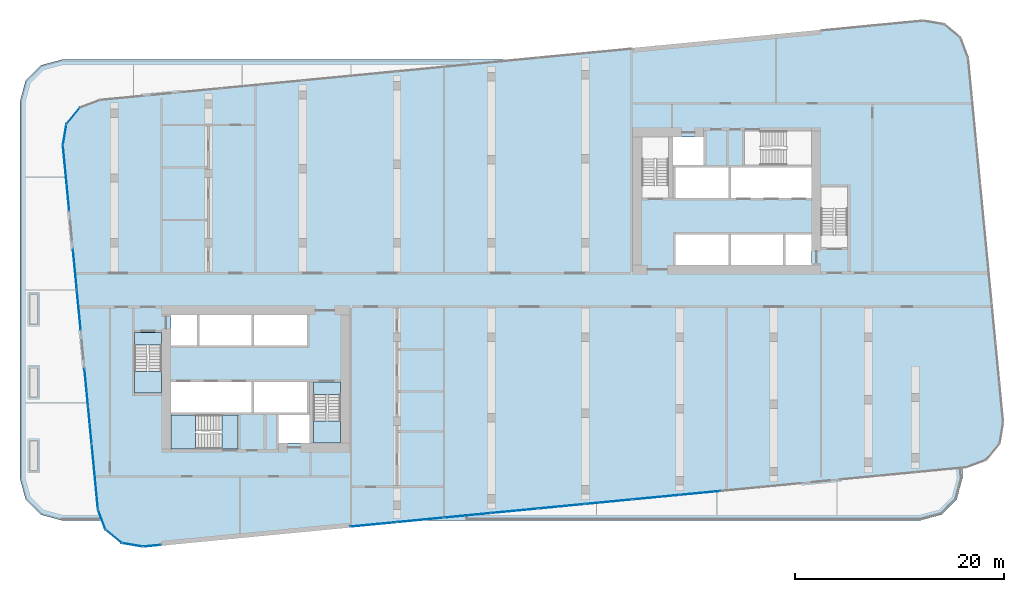
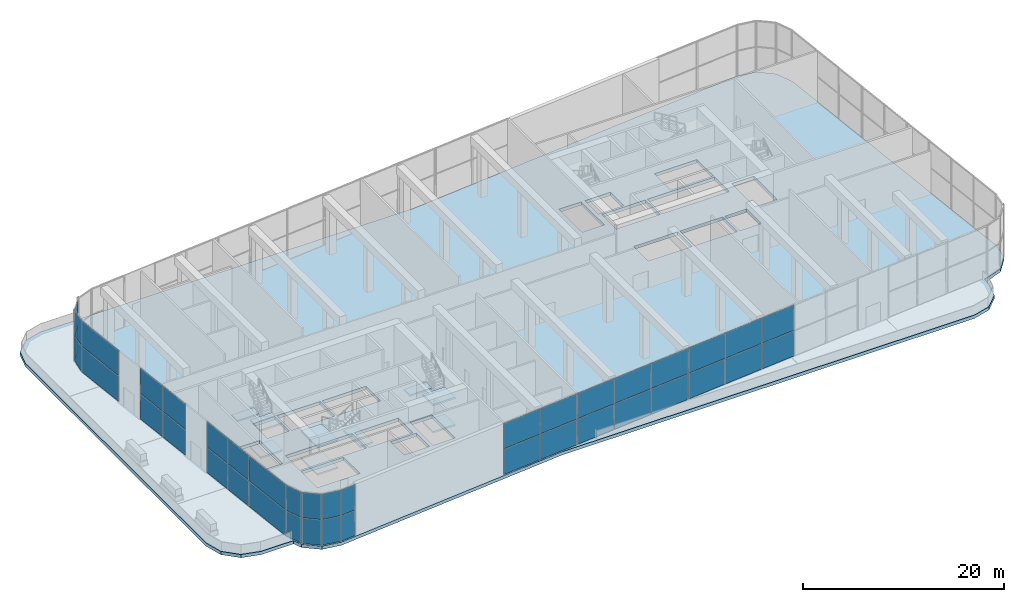
# One storey, part 9 of 25: 40 plates, 10 slabs, 17 elements without a shape of their own.
"""IFC4 building model written with IfcOpenShell, lengths in metres."""

from ifc_helpers import new_model, si_unit, direction, frame, origin, origin_2d, place, context, subcontext, project, spatial, polyline, rectangle, outline, extrude, material, layer, layer_set, type_object, element, aggregate, save


model = new_model("IFC4")

# Units and contexts
model_context = context("Model", 3, precision=1e-05, world=origin(), true_north=direction((0.0, 1.0)))
body_context = subcontext(model_context, "Body", "Model", "MODEL_VIEW")
ifc_project = project(units=[si_unit("LENGTHUNIT", "METRE"), si_unit("AREAUNIT", "SQUARE_METRE"), si_unit("VOLUMEUNIT", "CUBIC_METRE"), si_unit("PLANEANGLEUNIT", "RADIAN"), si_unit("MASSUNIT", "GRAM", prefix="KILO")], contexts=[model_context])

# Site, building, storey
site_placement = place(None, origin())
site = spatial("IfcSite", under=ifc_project, at=site_placement, CompositionType="ELEMENT")
building_placement = place(site_placement, origin())
building = spatial("IfcBuilding", under=site, at=building_placement, Name="Kajstack Hotel Tower", CompositionType="ELEMENT")
storey_placement = place(building_placement, frame((0.0, 0.0, 104.199951171875)))
storey = spatial("IfcBuildingStorey", under=building, at=storey_placement, Name="L22", CompositionType="ELEMENT", Elevation=104.199951171875)

# Curtain wall, plates
ifc_material_1 = material(Name="Aluminium-framed curtain wall, low-iron insulated glass", Category="aluminium")
curtain_wall_type = type_object("IfcCurtainWallType", Name="CW-GARDEN", PredefinedType="NOTDEFINED", material=ifc_material_1)
curtain_wall_1_placement = place(storey_placement, origin())
curtain_wall_1 = element("IfcCurtainWall", 1, at=curtain_wall_1_placement, inside=storey, type_object=curtain_wall_type, Name="Curtain wall CU6 L22-00-00-0", PredefinedType="NOTDEFINED")
ifc_material_2 = material(Name="Low-iron insulated glass", Category="glass")
ifc_layer_1 = layer(ifc_material_2, 0.0400390625)
ifc_layer_set_1 = layer_set([ifc_layer_1], Name="CW-P-GARDEN")
plate_type = type_object("IfcPlateType", Name="CW-P-GARDEN", PredefinedType="CURTAIN_PANEL", material=ifc_layer_set_1)
plate_1_placement = place(storey_placement, frame((-40.59619140625, 10.677978515625, 0.06005859375), z_axis=(0.0, 0.0, 1.0), x_axis=(0.095845908373, -0.99539618336, 0.0)))
plate_1 = element("IfcPlate", 2, at=plate_1_placement, type_object=plate_type, Name="CU6 panel 1.1", PredefinedType="CURTAIN_PANEL", context=body_context, shape_type="SweptSolid", body=[
    extrude(rectangle(XDim=6.267822265625, YDim=0.0400390625, at=origin_2d()), origin(), (0.0, 0.0, 1.0), 3.070068359375),
])
plate_2_placement = place(storey_placement, frame((-40.59619140625, 10.677978515625, 3.18994140625), z_axis=(0.0, 0.0, 1.0), x_axis=(0.095845908373, -0.99539618336, 0.0)))
plate_2 = element("IfcPlate", 3, at=plate_2_placement, type_object=plate_type, Name="CU6 panel 1.2", PredefinedType="CURTAIN_PANEL", context=body_context, shape_type="SweptSolid", body=[
    extrude(rectangle(XDim=6.267822265625, YDim=0.0400390625, at=origin_2d()), origin(), (0.0, 0.0, 1.0), 3.070068359375),
])
aggregate(curtain_wall_1, [plate_1, plate_2])

curtain_wall_2_placement = place(storey_placement, origin())
curtain_wall_2 = element("IfcCurtainWall", 4, at=curtain_wall_2_placement, inside=storey, type_object=curtain_wall_type, Name="Curtain wall CU6 L22-00-02-0", PredefinedType="NOTDEFINED")
plate_3_placement = place(storey_placement, frame((-39.75537109375, 1.9462890625, 0.06005859375), z_axis=(0.0, 0.0, 1.0), x_axis=(0.095845923974, -0.995396181858, 0.0)))
plate_3 = element("IfcPlate", 5, at=plate_3_placement, type_object=plate_type, Name="CU6 panel 1.1", PredefinedType="CURTAIN_PANEL", context=body_context, shape_type="SweptSolid", body=[
    extrude(rectangle(XDim=3.83642578125, YDim=0.0400390625, at=origin_2d()), origin(), (0.0, 0.0, 1.0), 3.070068359375),
])
plate_4_placement = place(storey_placement, frame((-39.75537109375, 1.9462890625, 3.18994140625), z_axis=(0.0, 0.0, 1.0), x_axis=(0.095845923974, -0.995396181858, 0.0)))
plate_4 = element("IfcPlate", 6, at=plate_4_placement, type_object=plate_type, Name="CU6 panel 1.2", PredefinedType="CURTAIN_PANEL", context=body_context, shape_type="SweptSolid", body=[
    extrude(rectangle(XDim=3.83642578125, YDim=0.0400390625, at=origin_2d()), origin(), (0.0, 0.0, 1.0), 3.070068359375),
])
plate_5_placement = place(storey_placement, frame((-39.382080078125, -1.93212890625, 0.06005859375), z_axis=(0.0, 0.0, 1.0), x_axis=(0.095845923974, -0.995396181858, 0.0)))
plate_5 = element("IfcPlate", 7, at=plate_5_placement, type_object=plate_type, Name="CU6 panel 2.1", PredefinedType="CURTAIN_PANEL", context=body_context, shape_type="SweptSolid", body=[
    extrude(rectangle(XDim=3.83642578125, YDim=0.0400390625, at=origin_2d()), origin(), (0.0, 0.0, 1.0), 3.070068359375),
])
plate_6_placement = place(storey_placement, frame((-39.382080078125, -1.93212890625, 3.18994140625), z_axis=(0.0, 0.0, 1.0), x_axis=(0.095845923974, -0.995396181858, 0.0)))
plate_6 = element("IfcPlate", 8, at=plate_6_placement, type_object=plate_type, Name="CU6 panel 2.2", PredefinedType="CURTAIN_PANEL", context=body_context, shape_type="SweptSolid", body=[
    extrude(rectangle(XDim=3.83642578125, YDim=0.0400390625, at=origin_2d()), origin(), (0.0, 0.0, 1.0), 3.070068359375),
])
aggregate(curtain_wall_2, [plate_3, plate_4, plate_5, plate_6])

curtain_wall_3_placement = place(storey_placement, origin())
curtain_wall_3 = element("IfcCurtainWall", 9, at=curtain_wall_3_placement, inside=storey, type_object=curtain_wall_type, Name="Curtain wall CU6 L22-00-04-0", PredefinedType="NOTDEFINED")
plate_7_placement = place(storey_placement, frame((-38.67236328125, -9.301513671875, 0.06005859375), z_axis=(0.0, 0.0, 1.0), x_axis=(0.095845917042, -0.995396182526, 0.0)))
plate_7 = element("IfcPlate", 10, at=plate_7_placement, type_object=plate_type, Name="CU6 panel 1.1", PredefinedType="CURTAIN_PANEL", context=body_context, shape_type="SweptSolid", body=[
    extrude(rectangle(XDim=3.53076171875, YDim=0.0400390625, at=origin_2d()), origin(), (0.0, 0.0, 1.0), 3.070068359375),
])
plate_8_placement = place(storey_placement, frame((-38.67236328125, -9.301513671875, 3.18994140625), z_axis=(0.0, 0.0, 1.0), x_axis=(0.095845917042, -0.995396182526, 0.0)))
plate_8 = element("IfcPlate", 11, at=plate_8_placement, type_object=plate_type, Name="CU6 panel 1.2", PredefinedType="CURTAIN_PANEL", context=body_context, shape_type="SweptSolid", body=[
    extrude(rectangle(XDim=3.53076171875, YDim=0.0400390625, at=origin_2d()), origin(), (0.0, 0.0, 1.0), 3.070068359375),
])
plate_9_placement = place(storey_placement, frame((-38.328125, -12.8759765625, 0.06005859375), z_axis=(0.0, 0.0, 1.0), x_axis=(0.095845917042, -0.995396182526, 0.0)))
plate_9 = element("IfcPlate", 12, at=plate_9_placement, type_object=plate_type, Name="CU6 panel 2.1", PredefinedType="CURTAIN_PANEL", context=body_context, shape_type="SweptSolid", body=[
    extrude(rectangle(XDim=3.53076171875, YDim=0.0400390625, at=origin_2d()), origin(), (0.0, 0.0, 1.0), 3.070068359375),
])
plate_10_placement = place(storey_placement, frame((-38.328125, -12.8759765625, 3.18994140625), z_axis=(0.0, 0.0, 1.0), x_axis=(0.095845917042, -0.995396182526, 0.0)))
plate_10 = element("IfcPlate", 13, at=plate_10_placement, type_object=plate_type, Name="CU6 panel 2.2", PredefinedType="CURTAIN_PANEL", context=body_context, shape_type="SweptSolid", body=[
    extrude(rectangle(XDim=3.53076171875, YDim=0.0400390625, at=origin_2d()), origin(), (0.0, 0.0, 1.0), 3.070068359375),
])
aggregate(curtain_wall_3, [plate_7, plate_8, plate_9, plate_10])

curtain_wall_4_placement = place(storey_placement, origin())
curtain_wall_4 = element("IfcCurtainWall", 14, at=curtain_wall_4_placement, inside=storey, type_object=curtain_wall_type, Name="Curtain wall CU6 L22-00-04-1", PredefinedType="NOTDEFINED")
plate_11_placement = place(storey_placement, frame((-37.8505859375, -17.837158203125, 0.06005859375), z_axis=(0.0, 0.0, 1.0), x_axis=(0.095845857505, -0.995396188258, 0.0)))
plate_11 = element("IfcPlate", 15, at=plate_11_placement, type_object=plate_type, Name="CU6 panel 1.1", PredefinedType="CURTAIN_PANEL", context=body_context, shape_type="SweptSolid", body=[
    extrude(rectangle(XDim=6.19775390625, YDim=0.0400390625, at=origin_2d()), origin(), (0.0, 0.0, 1.0), 3.070068359375),
])
plate_12_placement = place(storey_placement, frame((-37.8505859375, -17.837158203125, 3.18994140625), z_axis=(0.0, 0.0, 1.0), x_axis=(0.095845857505, -0.995396188258, 0.0)))
plate_12 = element("IfcPlate", 16, at=plate_12_placement, type_object=plate_type, Name="CU6 panel 1.2", PredefinedType="CURTAIN_PANEL", context=body_context, shape_type="SweptSolid", body=[
    extrude(rectangle(XDim=6.19775390625, YDim=0.0400390625, at=origin_2d()), origin(), (0.0, 0.0, 1.0), 3.070068359375),
])
aggregate(curtain_wall_4, [plate_11, plate_12])

curtain_wall_5_placement = place(storey_placement, origin())
curtain_wall_5 = element("IfcCurtainWall", 17, at=curtain_wall_5_placement, inside=storey, type_object=curtain_wall_type, Name="Curtain wall CU6 L22-01-00-0", PredefinedType="NOTDEFINED")
plate_13_placement = place(storey_placement, frame((-37.189697265625, -21.93212890625, 0.06005859375), z_axis=(0.0, 0.0, 1.0), x_axis=(0.350186476689, -0.936680004881, 0.0)))
plate_13 = element("IfcPlate", 18, at=plate_13_placement, type_object=plate_type, Name="CU6 panel 1.1", PredefinedType="CURTAIN_PANEL", context=body_context, shape_type="SweptSolid", body=[
    extrude(rectangle(XDim=1.95068359375, YDim=0.0400390625, at=origin_2d()), origin(), (0.0, 0.0, 1.0), 3.070068359375),
])
plate_14_placement = place(storey_placement, frame((-37.189697265625, -21.93212890625, 3.18994140625), z_axis=(0.0, 0.0, 1.0), x_axis=(0.350186476689, -0.936680004881, 0.0)))
plate_14 = element("IfcPlate", 19, at=plate_14_placement, type_object=plate_type, Name="CU6 panel 1.2", PredefinedType="CURTAIN_PANEL", context=body_context, shape_type="SweptSolid", body=[
    extrude(rectangle(XDim=1.95068359375, YDim=0.0400390625, at=origin_2d()), origin(), (0.0, 0.0, 1.0), 3.070068359375),
])
aggregate(curtain_wall_5, [plate_13, plate_14])

curtain_wall_6_placement = place(storey_placement, origin())
curtain_wall_6 = element("IfcCurtainWall", 20, at=curtain_wall_6_placement, inside=storey, type_object=curtain_wall_type, Name="Curtain wall CU6 L22-02-00-0", PredefinedType="NOTDEFINED")
plate_15_placement = place(storey_placement, frame((-36.05078125, -23.52880859375, 0.06005859375), z_axis=(0.0, 0.0, 1.0), x_axis=(0.771634596978, -0.636066072627, 0.0)))
plate_15 = element("IfcPlate", 21, at=plate_15_placement, type_object=plate_type, Name="CU6 panel 1.1", PredefinedType="CURTAIN_PANEL", context=body_context, shape_type="SweptSolid", body=[
    extrude(rectangle(XDim=1.950439453125, YDim=0.0400390625, at=origin_2d()), origin(), (0.0, 0.0, 1.0), 3.070068359375),
])
plate_16_placement = place(storey_placement, frame((-36.05078125, -23.52880859375, 3.18994140625), z_axis=(0.0, 0.0, 1.0), x_axis=(0.771634596978, -0.636066072627, 0.0)))
plate_16 = element("IfcPlate", 22, at=plate_16_placement, type_object=plate_type, Name="CU6 panel 1.2", PredefinedType="CURTAIN_PANEL", context=body_context, shape_type="SweptSolid", body=[
    extrude(rectangle(XDim=1.950439453125, YDim=0.0400390625, at=origin_2d()), origin(), (0.0, 0.0, 1.0), 3.070068359375),
])
aggregate(curtain_wall_6, [plate_15, plate_16])

curtain_wall_7_placement = place(storey_placement, origin())
curtain_wall_7 = element("IfcCurtainWall", 23, at=curtain_wall_7_placement, inside=storey, type_object=curtain_wall_type, Name="Curtain wall CU6 L22-03-00-0", PredefinedType="NOTDEFINED")
plate_17_placement = place(storey_placement, frame((-34.26611328125, -24.342041015625, 0.06005859375), z_axis=(0.0, 0.0, 1.0), x_axis=(0.986287986954, -0.16503335054, 0.0)))
plate_17 = element("IfcPlate", 24, at=plate_17_placement, type_object=plate_type, Name="CU6 panel 1.1", PredefinedType="CURTAIN_PANEL", context=body_context, shape_type="SweptSolid", body=[
    extrude(rectangle(XDim=1.950439453125, YDim=0.0400390625, at=origin_2d()), origin(), (0.0, 0.0, 1.0), 3.070068359375),
])
plate_18_placement = place(storey_placement, frame((-34.26611328125, -24.342041015625, 3.18994140625), z_axis=(0.0, 0.0, 1.0), x_axis=(0.986287986954, -0.16503335054, 0.0)))
plate_18 = element("IfcPlate", 25, at=plate_18_placement, type_object=plate_type, Name="CU6 panel 1.2", PredefinedType="CURTAIN_PANEL", context=body_context, shape_type="SweptSolid", body=[
    extrude(rectangle(XDim=1.950439453125, YDim=0.0400390625, at=origin_2d()), origin(), (0.0, 0.0, 1.0), 3.070068359375),
])
aggregate(curtain_wall_7, [plate_17, plate_18])

curtain_wall_8_placement = place(storey_placement, origin())
curtain_wall_8 = element("IfcCurtainWall", 26, at=curtain_wall_8_placement, inside=storey, type_object=curtain_wall_type, Name="Curtain wall CU6 L22-04-00-0", PredefinedType="NOTDEFINED")
plate_19_placement = place(storey_placement, frame((-32.385986328125, -24.427734375, 0.06005859375), z_axis=(0.0, 0.0, 1.0), x_axis=(0.995396209706, 0.095845634766, 0.0)))
plate_19 = element("IfcPlate", 27, at=plate_19_placement, type_object=plate_type, Name="CU6 panel 1.1", PredefinedType="CURTAIN_PANEL", context=body_context, shape_type="SweptSolid", body=[
    extrude(rectangle(XDim=1.6455078125, YDim=0.0400390625, at=origin_2d()), origin(), (0.0, 0.0, 1.0), 3.070068359375),
])
plate_20_placement = place(storey_placement, frame((-32.385986328125, -24.427734375, 3.18994140625), z_axis=(0.0, 0.0, 1.0), x_axis=(0.995396209706, 0.095845634766, 0.0)))
plate_20 = element("IfcPlate", 28, at=plate_20_placement, type_object=plate_type, Name="CU6 panel 1.2", PredefinedType="CURTAIN_PANEL", context=body_context, shape_type="SweptSolid", body=[
    extrude(rectangle(XDim=1.6455078125, YDim=0.0400390625, at=origin_2d()), origin(), (0.0, 0.0, 1.0), 3.070068359375),
])
aggregate(curtain_wall_8, [plate_19, plate_20])

curtain_wall_9_placement = place(storey_placement, origin())
curtain_wall_9 = element("IfcCurtainWall", 29, at=curtain_wall_9_placement, inside=storey, type_object=curtain_wall_type, Name="Curtain wall CU6 L22-04-02-0", PredefinedType="NOTDEFINED")
plate_21_placement = place(storey_placement, frame((-11.2421875, -22.391845703125, 0.06005859375), z_axis=(0.0, 0.0, 1.0), x_axis=(0.995396219751, 0.095845530442, 0.0)))
plate_21 = element("IfcPlate", 30, at=plate_21_placement, type_object=plate_type, Name="CU6 panel 1.1", PredefinedType="CURTAIN_PANEL", context=body_context, shape_type="SweptSolid", body=[
    extrude(rectangle(XDim=4.430908203125, YDim=0.0400390625, at=origin_2d()), origin(), (0.0, 0.0, 1.0), 3.070068359375),
])
plate_22_placement = place(storey_placement, frame((-11.2421875, -22.391845703125, 3.18994140625), z_axis=(0.0, 0.0, 1.0), x_axis=(0.995396219751, 0.095845530442, 0.0)))
plate_22 = element("IfcPlate", 31, at=plate_22_placement, type_object=plate_type, Name="CU6 panel 1.2", PredefinedType="CURTAIN_PANEL", context=body_context, shape_type="SweptSolid", body=[
    extrude(rectangle(XDim=4.430908203125, YDim=0.0400390625, at=origin_2d()), origin(), (0.0, 0.0, 1.0), 3.070068359375),
])
plate_23_placement = place(storey_placement, frame((-6.772216796875, -21.96142578125, 0.06005859375), z_axis=(0.0, 0.0, 1.0), x_axis=(0.995396219751, 0.095845530442, 0.0)))
plate_23 = element("IfcPlate", 32, at=plate_23_placement, type_object=plate_type, Name="CU6 panel 2.1", PredefinedType="CURTAIN_PANEL", context=body_context, shape_type="SweptSolid", body=[
    extrude(rectangle(XDim=4.430908203125, YDim=0.0400390625, at=origin_2d()), origin(), (0.0, 0.0, 1.0), 3.070068359375),
])
plate_24_placement = place(storey_placement, frame((-6.772216796875, -21.96142578125, 3.18994140625), z_axis=(0.0, 0.0, 1.0), x_axis=(0.995396219751, 0.095845530442, 0.0)))
plate_24 = element("IfcPlate", 33, at=plate_24_placement, type_object=plate_type, Name="CU6 panel 2.2", PredefinedType="CURTAIN_PANEL", context=body_context, shape_type="SweptSolid", body=[
    extrude(rectangle(XDim=4.430908203125, YDim=0.0400390625, at=origin_2d()), origin(), (0.0, 0.0, 1.0), 3.070068359375),
])
aggregate(curtain_wall_9, [plate_21, plate_22, plate_23, plate_24])

curtain_wall_10_placement = place(storey_placement, origin())
curtain_wall_10 = element("IfcCurtainWall", 34, at=curtain_wall_10_placement, inside=storey, type_object=curtain_wall_type, Name="Curtain wall CU6 L22-04-02-1", PredefinedType="NOTDEFINED")
plate_25_placement = place(storey_placement, frame((-2.2421875, -21.525146484375, 0.06005859375), z_axis=(0.0, 0.0, 1.0), x_axis=(0.995396215218, 0.095845577523, 0.0)))
plate_25 = element("IfcPlate", 35, at=plate_25_placement, type_object=plate_type, Name="CU6 panel 1.1", PredefinedType="CURTAIN_PANEL", context=body_context, shape_type="SweptSolid", body=[
    extrude(rectangle(XDim=4.430908203125, YDim=0.0400390625, at=origin_2d()), origin(), (0.0, 0.0, 1.0), 3.070068359375),
])
plate_26_placement = place(storey_placement, frame((-2.2421875, -21.525146484375, 3.18994140625), z_axis=(0.0, 0.0, 1.0), x_axis=(0.995396215218, 0.095845577523, 0.0)))
plate_26 = element("IfcPlate", 36, at=plate_26_placement, type_object=plate_type, Name="CU6 panel 1.2", PredefinedType="CURTAIN_PANEL", context=body_context, shape_type="SweptSolid", body=[
    extrude(rectangle(XDim=4.430908203125, YDim=0.0400390625, at=origin_2d()), origin(), (0.0, 0.0, 1.0), 3.070068359375),
])
plate_27_placement = place(storey_placement, frame((2.24267578125, -21.09326171875, 0.06005859375), z_axis=(0.0, 0.0, 1.0), x_axis=(0.995396215218, 0.095845577523, 0.0)))
plate_27 = element("IfcPlate", 37, at=plate_27_placement, type_object=plate_type, Name="CU6 panel 2.1", PredefinedType="CURTAIN_PANEL", context=body_context, shape_type="SweptSolid", body=[
    extrude(rectangle(XDim=4.460693359375, YDim=0.0400390625, at=origin_2d()), origin(), (0.0, 0.0, 1.0), 3.070068359375),
])
plate_28_placement = place(storey_placement, frame((2.24267578125, -21.09326171875, 3.18994140625), z_axis=(0.0, 0.0, 1.0), x_axis=(0.995396215218, 0.095845577523, 0.0)))
plate_28 = element("IfcPlate", 38, at=plate_28_placement, type_object=plate_type, Name="CU6 panel 2.2", PredefinedType="CURTAIN_PANEL", context=body_context, shape_type="SweptSolid", body=[
    extrude(rectangle(XDim=4.460693359375, YDim=0.0400390625, at=origin_2d()), origin(), (0.0, 0.0, 1.0), 3.070068359375),
])
plate_29_placement = place(storey_placement, frame((6.727783203125, -20.661376953125, 0.06005859375), z_axis=(0.0, 0.0, 1.0), x_axis=(0.995396215218, 0.095845577523, 0.0)))
plate_29 = element("IfcPlate", 39, at=plate_29_placement, type_object=plate_type, Name="CU6 panel 3.1", PredefinedType="CURTAIN_PANEL", context=body_context, shape_type="SweptSolid", body=[
    extrude(rectangle(XDim=4.430908203125, YDim=0.0400390625, at=origin_2d()), origin(), (0.0, 0.0, 1.0), 3.070068359375),
])
plate_30_placement = place(storey_placement, frame((6.727783203125, -20.661376953125, 3.18994140625), z_axis=(0.0, 0.0, 1.0), x_axis=(0.995396215218, 0.095845577523, 0.0)))
plate_30 = element("IfcPlate", 40, at=plate_30_placement, type_object=plate_type, Name="CU6 panel 3.2", PredefinedType="CURTAIN_PANEL", context=body_context, shape_type="SweptSolid", body=[
    extrude(rectangle(XDim=4.430908203125, YDim=0.0400390625, at=origin_2d()), origin(), (0.0, 0.0, 1.0), 3.070068359375),
])
aggregate(curtain_wall_10, [plate_25, plate_26, plate_27, plate_28, plate_29, plate_30])

curtain_wall_11_placement = place(storey_placement, origin())
curtain_wall_11 = element("IfcCurtainWall", 41, at=curtain_wall_11_placement, inside=storey, type_object=curtain_wall_type, Name="Curtain wall CU6 L22-04-02-2", PredefinedType="NOTDEFINED")
plate_31_placement = place(storey_placement, frame((11.2578125, -20.225341796875, 0.06005859375), z_axis=(0.0, 0.0, 1.0), x_axis=(0.995396214819, 0.095845581657, 0.0)))
plate_31 = element("IfcPlate", 42, at=plate_31_placement, type_object=plate_type, Name="CU6 panel 1.1", PredefinedType="CURTAIN_PANEL", context=body_context, shape_type="SweptSolid", body=[
    extrude(rectangle(XDim=4.430908203125, YDim=0.0400390625, at=origin_2d()), origin(), (0.0, 0.0, 1.0), 3.070068359375),
])
plate_32_placement = place(storey_placement, frame((11.2578125, -20.225341796875, 3.18994140625), z_axis=(0.0, 0.0, 1.0), x_axis=(0.995396214819, 0.095845581657, 0.0)))
plate_32 = element("IfcPlate", 43, at=plate_32_placement, type_object=plate_type, Name="CU6 panel 1.2", PredefinedType="CURTAIN_PANEL", context=body_context, shape_type="SweptSolid", body=[
    extrude(rectangle(XDim=4.430908203125, YDim=0.0400390625, at=origin_2d()), origin(), (0.0, 0.0, 1.0), 3.070068359375),
])
plate_33_placement = place(storey_placement, frame((15.727783203125, -19.794921875, 0.06005859375), z_axis=(0.0, 0.0, 1.0), x_axis=(0.995396214819, 0.095845581657, 0.0)))
plate_33 = element("IfcPlate", 44, at=plate_33_placement, type_object=plate_type, Name="CU6 panel 2.1", PredefinedType="CURTAIN_PANEL", context=body_context, shape_type="SweptSolid", body=[
    extrude(rectangle(XDim=4.430908203125, YDim=0.0400390625, at=origin_2d()), origin(), (0.0, 0.0, 1.0), 3.070068359375),
])
plate_34_placement = place(storey_placement, frame((15.727783203125, -19.794921875, 3.18994140625), z_axis=(0.0, 0.0, 1.0), x_axis=(0.995396214819, 0.095845581657, 0.0)))
plate_34 = element("IfcPlate", 45, at=plate_34_placement, type_object=plate_type, Name="CU6 panel 2.2", PredefinedType="CURTAIN_PANEL", context=body_context, shape_type="SweptSolid", body=[
    extrude(rectangle(XDim=4.430908203125, YDim=0.0400390625, at=origin_2d()), origin(), (0.0, 0.0, 1.0), 3.070068359375),
])
aggregate(curtain_wall_11, [plate_31, plate_32, plate_33, plate_34])

curtain_wall_12_placement = place(storey_placement, origin())
curtain_wall_12 = element("IfcCurtainWall", 46, at=curtain_wall_12_placement, inside=storey, type_object=curtain_wall_type, Name="Curtain wall CU6 L22-04-02-3", PredefinedType="NOTDEFINED")
plate_35_placement = place(storey_placement, frame((19.959228515625, -19.387451171875, 0.06005859375), z_axis=(0.0, 0.0, 1.0), x_axis=(0.995396215044, 0.095845579329, 0.0)))
plate_35 = element("IfcPlate", 47, at=plate_35_placement, type_object=plate_type, Name="CU6 panel 1.1", PredefinedType="CURTAIN_PANEL", context=body_context, shape_type="SweptSolid", body=[
    extrude(rectangle(XDim=3.830810546875, YDim=0.0400390625, at=origin_2d()), origin(), (0.0, 0.0, 1.0), 3.070068359375),
])
plate_36_placement = place(storey_placement, frame((19.959228515625, -19.387451171875, 3.18994140625), z_axis=(0.0, 0.0, 1.0), x_axis=(0.995396215044, 0.095845579329, 0.0)))
plate_36 = element("IfcPlate", 48, at=plate_36_placement, type_object=plate_type, Name="CU6 panel 1.2", PredefinedType="CURTAIN_PANEL", context=body_context, shape_type="SweptSolid", body=[
    extrude(rectangle(XDim=3.830810546875, YDim=0.0400390625, at=origin_2d()), origin(), (0.0, 0.0, 1.0), 3.070068359375),
])
aggregate(curtain_wall_12, [plate_35, plate_36])

curtain_wall_13_placement = place(storey_placement, origin())
curtain_wall_13 = element("IfcCurtainWall", 49, at=curtain_wall_13_placement, inside=storey, type_object=curtain_wall_type, Name="Curtain wall CU6 L22-14-00-0", PredefinedType="NOTDEFINED")
plate_37_placement = place(storey_placement, frame((-39.9189453125, 16.6435546875, 0.06005859375), z_axis=(0.0, 0.0, 1.0), x_axis=(-0.636066072627, -0.771634596978, 0.0)))
plate_37 = element("IfcPlate", 50, at=plate_37_placement, type_object=plate_type, Name="CU6 panel 1.1", PredefinedType="CURTAIN_PANEL", context=body_context, shape_type="SweptSolid", body=[
    extrude(rectangle(XDim=1.950439453125, YDim=0.0400390625, at=origin_2d()), origin(), (0.0, 0.0, 1.0), 3.070068359375),
])
plate_38_placement = place(storey_placement, frame((-39.9189453125, 16.6435546875, 3.18994140625), z_axis=(0.0, 0.0, 1.0), x_axis=(-0.636066072627, -0.771634596978, 0.0)))
plate_38 = element("IfcPlate", 51, at=plate_38_placement, type_object=plate_type, Name="CU6 panel 1.2", PredefinedType="CURTAIN_PANEL", context=body_context, shape_type="SweptSolid", body=[
    extrude(rectangle(XDim=1.950439453125, YDim=0.0400390625, at=origin_2d()), origin(), (0.0, 0.0, 1.0), 3.070068359375),
])
aggregate(curtain_wall_13, [plate_37, plate_38])

curtain_wall_14_placement = place(storey_placement, origin())
curtain_wall_14 = element("IfcCurtainWall", 52, at=curtain_wall_14_placement, inside=storey, type_object=curtain_wall_type, Name="Curtain wall CU6 L22-15-00-0", PredefinedType="NOTDEFINED")
plate_39_placement = place(storey_placement, frame((-40.732177734375, 14.85888671875, 0.06005859375), z_axis=(0.0, 0.0, 1.0), x_axis=(-0.165025489464, -0.986289302298, 0.0)))
plate_39 = element("IfcPlate", 53, at=plate_39_placement, type_object=plate_type, Name="CU6 panel 1.1", PredefinedType="CURTAIN_PANEL", context=body_context, shape_type="SweptSolid", body=[
    extrude(rectangle(XDim=1.95068359375, YDim=0.0400390625, at=origin_2d()), origin(), (0.0, 0.0, 1.0), 3.070068359375),
])
plate_40_placement = place(storey_placement, frame((-40.732177734375, 14.85888671875, 3.18994140625), z_axis=(0.0, 0.0, 1.0), x_axis=(-0.165025489464, -0.986289302298, 0.0)))
plate_40 = element("IfcPlate", 54, at=plate_40_placement, type_object=plate_type, Name="CU6 panel 1.2", PredefinedType="CURTAIN_PANEL", context=body_context, shape_type="SweptSolid", body=[
    extrude(rectangle(XDim=1.95068359375, YDim=0.0400390625, at=origin_2d()), origin(), (0.0, 0.0, 1.0), 3.070068359375),
])
aggregate(curtain_wall_14, [plate_39, plate_40])

# Slab
ifc_material_3 = material(Name="Concrete C50/60", Category="concrete")
ifc_layer_2 = layer(ifc_material_3, 0.39990234375)
ifc_layer_set_2 = layer_set([ifc_layer_2], Name="RC slab 400 C50/60 garden")
slab_type_1 = type_object("IfcSlabType", Name="RC slab 400 C50/60 garden", PredefinedType="FLOOR", material=ifc_layer_set_2)
slab_1_placement = place(storey_placement, frame((0.0, 0.0, -0.39990234375)))
element("IfcSlab", 55, at=slab_1_placement, inside=storey, type_object=slab_type_1, Name="S-slab-L22", PredefinedType="FLOOR", context=body_context, shape_type="SweptSolid", body=[
    extrude(outline(polyline([(-41.0, -22.0), (-43.0, -21.464111328125), (-44.464111328125, -20.0), (-45.0, -18.0), (-45.0, 18.0), (-44.464111328125, 20.0), (-43.0, 21.464111328125), (-41.0, 22.0), (1.928955078125, 22.0), (41.257568359375, 25.786865234375), (43.299560546875, 25.4453125), (44.897216796875, 24.128173828125), (45.622314453125, 22.188720703125), (48.97705078125, -12.650146484375), (48.63525390625, -14.6923828125), (47.318359375, -16.2900390625), (45.37890625, -17.01513671875), (45.0, -17.051513671875), (45.0, -18.0), (44.464111328125, -20.0), (43.0, -21.464111328125), (41.0, -22.0), (-6.3916015625, -22.0), (-33.257568359375, -24.5869140625), (-35.299560546875, -24.2451171875), (-36.897216796875, -22.92822265625), (-37.244384765625, -22.0), (-41.0, -22.0)]), holes=[polyline([(-30.60009765625, -11.699951171875), (-30.60009765625, -8.800048828125), (-22.89990234375, -8.800048828125), (-22.89990234375, -11.699951171875), (-30.60009765625, -11.699951171875)]), polyline([(-22.64990234375, -11.699951171875), (-22.64990234375, -8.800048828125), (-17.60009765625, -8.800048828125), (-17.60009765625, -11.699951171875), (-22.64990234375, -11.699951171875)]), polyline([(-27.85009765625, -5.300048828125), (-27.85009765625, -2.39990234375), (-22.89990234375, -2.39990234375), (-22.89990234375, -5.300048828125), (-27.85009765625, -5.300048828125)]), polyline([(-22.64990234375, -5.300048828125), (-22.64990234375, -2.39990234375), (-17.60009765625, -2.39990234375), (-17.60009765625, -5.300048828125), (-22.64990234375, -5.300048828125)]), polyline([(-20.300048828125, -14.60009765625), (-17.35009765625, -14.60009765625), (-17.35009765625, -11.949951171875), (-20.300048828125, -11.949951171875), (-20.300048828125, -14.60009765625)]), polyline([(-30.60009765625, -5.300048828125), (-28.10009765625, -5.300048828125), (-28.10009765625, -2.39990234375), (-30.60009765625, -2.39990234375), (-30.60009765625, -5.300048828125)]), polyline([(22.89990234375, 8.800048828125), (22.89990234375, 11.699951171875), (30.60009765625, 11.699951171875), (30.60009765625, 8.800048828125), (22.89990234375, 8.800048828125)]), polyline([(17.60009765625, 8.800048828125), (17.60009765625, 11.699951171875), (22.64990234375, 11.699951171875), (22.64990234375, 8.800048828125), (17.60009765625, 8.800048828125)]), polyline([(22.89990234375, 2.39990234375), (22.89990234375, 5.300048828125), (27.85009765625, 5.300048828125), (27.85009765625, 2.39990234375), (22.89990234375, 2.39990234375)]), polyline([(17.60009765625, 2.39990234375), (17.60009765625, 5.300048828125), (22.64990234375, 5.300048828125), (22.64990234375, 2.39990234375), (17.60009765625, 2.39990234375)]), polyline([(20.300048828125, 14.60009765625), (17.35009765625, 14.60009765625), (17.35009765625, 11.949951171875), (20.300048828125, 11.949951171875), (20.300048828125, 14.60009765625)]), polyline([(30.60009765625, 5.300048828125), (28.10009765625, 5.300048828125), (28.10009765625, 2.39990234375), (30.60009765625, 2.39990234375), (30.60009765625, 5.300048828125)]), polyline([(-34.050048828125, -9.85009765625), (-31.5, -9.85009765625), (-31.5, -5.25), (-34.050048828125, -5.25), (-34.050048828125, -9.85009765625)]), polyline([(-16.949951171875, -14.60009765625), (-14.39990234375, -14.60009765625), (-14.39990234375, -10.0), (-16.949951171875, -10.0), (-16.949951171875, -14.60009765625)]), polyline([(-30.60009765625, -15.199951171875), (-25.699951171875, -15.199951171875), (-25.699951171875, -11.949951171875), (-30.60009765625, -11.949951171875), (-30.60009765625, -15.199951171875)]), polyline([(34.050048828125, 9.85009765625), (31.5, 9.85009765625), (31.5, 5.25), (34.050048828125, 5.25), (34.050048828125, 9.85009765625)]), polyline([(16.949951171875, 14.60009765625), (14.39990234375, 14.60009765625), (14.39990234375, 10.0), (16.949951171875, 10.0), (16.949951171875, 14.60009765625)]), polyline([(30.60009765625, 15.199951171875), (25.699951171875, 15.199951171875), (25.699951171875, 11.949951171875), (30.60009765625, 11.949951171875), (30.60009765625, 15.199951171875)])]), origin(), (0.0, 0.0, 1.0), 0.39990234375),
])

# Stair, slabs
ifc_material_4 = material(Name="Concrete C40/50", Category="concrete")
stair_type_1 = type_object("IfcStairType", Name="Exit stair 1200", PredefinedType="HALF_TURN_STAIR", material=ifc_material_4)
stair_1_placement = place(storey_placement, origin())
stair_1 = element("IfcStair", 56, at=stair_1_placement, inside=storey, type_object=stair_type_1, Name="L22 stair W1", PredefinedType="HALF_TURN_STAIR")
ifc_layer_3 = layer(ifc_material_4, 0.199951171875)
ifc_layer_set_3 = layer_set([ifc_layer_3], Name="Stair landing 200")
slab_type_2 = type_object("IfcSlabType", Name="Stair landing 200", PredefinedType="LANDING", material=ifc_layer_set_3)
slab_2_placement = place(storey_placement, frame((0.0, 0.0, 1.449951171875)))
slab_2 = element("IfcSlab", 57, at=slab_2_placement, type_object=slab_type_2, Name="W1 landing 1", PredefinedType="LANDING", context=body_context, shape_type="SweptSolid", body=[
    extrude(outline(polyline([(-34.050048828125, -7.77001953125), (-34.050048828125, -9.85009765625), (-31.5, -9.85009765625), (-31.5, -7.77001953125), (-34.050048828125, -7.77001953125)])), origin(), (0.0, 0.0, 1.0), 0.2001953125),
])
slab_3_placement = place(storey_placement, frame((0.0, 0.0, 3.10009765625)))
slab_3 = element("IfcSlab", 58, at=slab_3_placement, type_object=slab_type_2, Name="W1 landing 2", PredefinedType="LANDING", context=body_context, shape_type="SweptSolid", body=[
    extrude(outline(polyline([(-34.050048828125, -4.050048828125), (-34.050048828125, -5.25), (-31.5, -5.25), (-31.5, -4.050048828125), (-34.050048828125, -4.050048828125)])), origin(), (0.0, 0.0, 1.0), 0.199951171875),
])
slab_4_placement = place(storey_placement, frame((0.0, 0.0, 4.75)))
slab_4 = element("IfcSlab", 59, at=slab_4_placement, type_object=slab_type_2, Name="W1 landing 3", PredefinedType="LANDING", context=body_context, shape_type="SweptSolid", body=[
    extrude(outline(polyline([(-34.050048828125, -7.77001953125), (-34.050048828125, -9.85009765625), (-31.5, -9.85009765625), (-31.5, -7.77001953125), (-34.050048828125, -7.77001953125)])), origin(), (0.0, 0.0, 1.0), 0.199951171875),
])
aggregate(stair_1, [slab_2, slab_3, slab_4])

stair_2_placement = place(storey_placement, origin())
stair_2 = element("IfcStair", 60, at=stair_2_placement, inside=storey, type_object=stair_type_1, Name="L22 stair W2", PredefinedType="HALF_TURN_STAIR")
slab_5_placement = place(storey_placement, frame((0.0, 0.0, 1.449951171875)))
slab_5 = element("IfcSlab", 61, at=slab_5_placement, type_object=slab_type_2, Name="W2 landing 1", PredefinedType="LANDING", context=body_context, shape_type="SweptSolid", body=[
    extrude(outline(polyline([(-16.949951171875, -12.52001953125), (-16.949951171875, -14.60009765625), (-14.39990234375, -14.60009765625), (-14.39990234375, -12.52001953125), (-16.949951171875, -12.52001953125)])), origin(), (0.0, 0.0, 1.0), 0.2001953125),
])
slab_6_placement = place(storey_placement, frame((0.0, 0.0, 3.10009765625)))
slab_6 = element("IfcSlab", 62, at=slab_6_placement, type_object=slab_type_2, Name="W2 landing 2", PredefinedType="LANDING", context=body_context, shape_type="SweptSolid", body=[
    extrude(outline(polyline([(-16.949951171875, -8.800048828125), (-16.949951171875, -10.0), (-14.39990234375, -10.0), (-14.39990234375, -8.800048828125), (-16.949951171875, -8.800048828125)])), origin(), (0.0, 0.0, 1.0), 0.199951171875),
])
slab_7_placement = place(storey_placement, frame((0.0, 0.0, 4.75)))
slab_7 = element("IfcSlab", 63, at=slab_7_placement, type_object=slab_type_2, Name="W2 landing 3", PredefinedType="LANDING", context=body_context, shape_type="SweptSolid", body=[
    extrude(outline(polyline([(-16.949951171875, -12.52001953125), (-16.949951171875, -14.60009765625), (-14.39990234375, -14.60009765625), (-14.39990234375, -12.52001953125), (-16.949951171875, -12.52001953125)])), origin(), (0.0, 0.0, 1.0), 0.199951171875),
])
aggregate(stair_2, [slab_5, slab_6, slab_7])

stair_type_2 = type_object("IfcStairType", Name="Exit stair 1500", PredefinedType="HALF_TURN_STAIR", material=ifc_material_4)
stair_3_placement = place(storey_placement, origin())
stair_3 = element("IfcStair", 64, at=stair_3_placement, inside=storey, type_object=stair_type_2, Name="L22 stair W3", PredefinedType="HALF_TURN_STAIR")
slab_8_placement = place(storey_placement, frame((0.0, 0.0, 1.449951171875)))
slab_8 = element("IfcSlab", 65, at=slab_8_placement, type_object=slab_type_2, Name="W3 landing 1", PredefinedType="LANDING", context=body_context, shape_type="SweptSolid", body=[
    extrude(outline(polyline([(-28.219970703125, -11.949951171875), (-30.60009765625, -11.949951171875), (-30.60009765625, -15.199951171875), (-28.219970703125, -15.199951171875), (-28.219970703125, -11.949951171875)])), origin(), (0.0, 0.0, 1.0), 0.2001953125),
])
slab_9_placement = place(storey_placement, frame((0.0, 0.0, 3.10009765625)))
slab_9 = element("IfcSlab", 66, at=slab_9_placement, type_object=slab_type_2, Name="W3 landing 2", PredefinedType="LANDING", context=body_context, shape_type="SweptSolid", body=[
    extrude(outline(polyline([(-24.199951171875, -11.949951171875), (-25.699951171875, -11.949951171875), (-25.699951171875, -15.199951171875), (-24.199951171875, -15.199951171875), (-24.199951171875, -11.949951171875)])), origin(), (0.0, 0.0, 1.0), 0.199951171875),
])
slab_10_placement = place(storey_placement, frame((0.0, 0.0, 4.75)))
slab_10 = element("IfcSlab", 67, at=slab_10_placement, type_object=slab_type_2, Name="W3 landing 3", PredefinedType="LANDING", context=body_context, shape_type="SweptSolid", body=[
    extrude(outline(polyline([(-28.219970703125, -11.949951171875), (-30.60009765625, -11.949951171875), (-30.60009765625, -15.199951171875), (-28.219970703125, -15.199951171875), (-28.219970703125, -11.949951171875)])), origin(), (0.0, 0.0, 1.0), 0.199951171875),
])
aggregate(stair_3, [slab_8, slab_9, slab_10])

save(model, "model.ifc")
